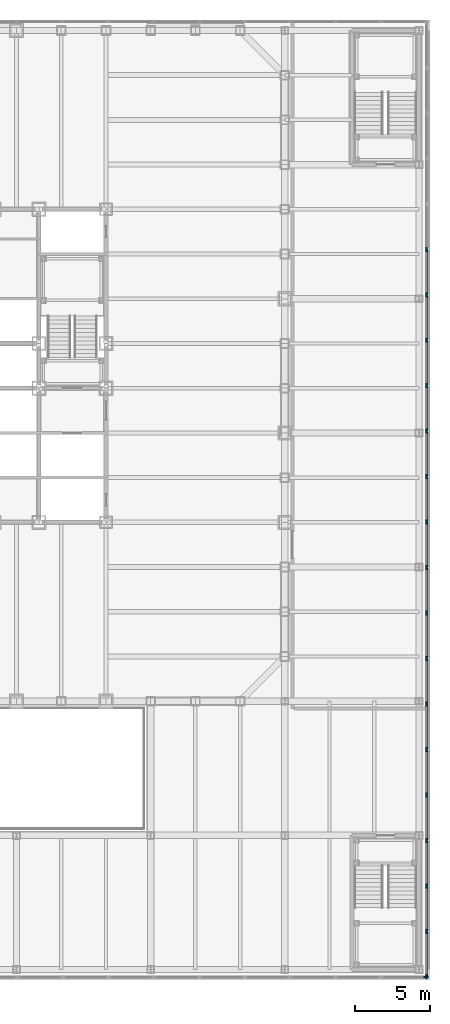
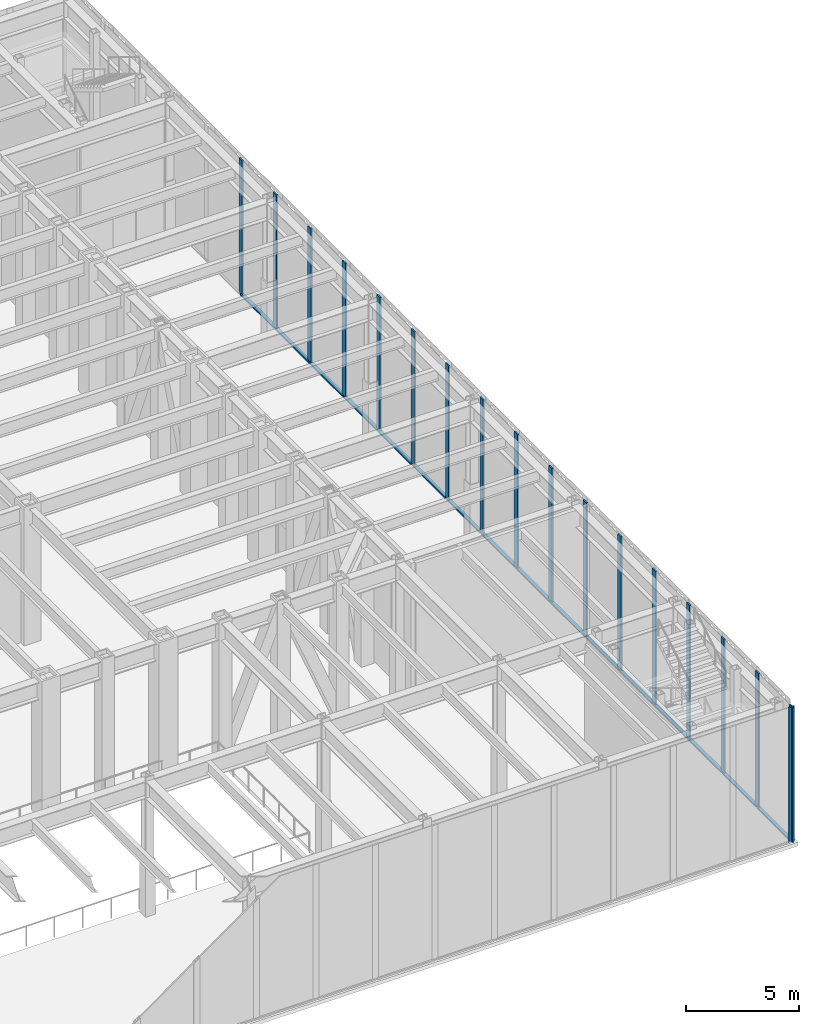
# One storey, part 9 of 34: 34 members, 2 elements without a shape of their own.
"""IFC4 building model written with IfcOpenShell, lengths in metres."""

import ifcopenshell
import ifcopenshell.guid

model = None  # the IFC model being written
_history = None  # IfcOwnerHistory: only IFC2X3 demands one
_inside = {}  # id of a spatial element -> (the spatial element, [elements in it])
_under = {}  # id of a project, library or spatial element -> (it, [spatial elements below it])
_declared = {}  # id of a project -> (the project, [libraries it declares])
_typed = {}  # id of a type object -> (the type object, [elements of that type])
_made_of = {}  # id of a material, layer set ... -> (it, [elements and type objects made of it])


def new_model(schema):
    """Start an empty IFC model of exactly this schema.

    Asked for "IFC4X3", IfcOpenShell would pick the latest addendum, in which some entities
    have other attributes; the version numbers below select the first issue.
    IFC2X3 requires an IfcOwnerHistory on every rooted entity: one is made here for all.
    """
    global model, _history
    if schema == "IFC4X3":
        model = ifcopenshell.file(schema_version=(4, 3, 0, 0))
    else:
        model = ifcopenshell.file(schema=schema)
    _inside.clear()
    _under.clear()
    _declared.clear()
    _typed.clear()
    _made_of.clear()
    _history = None
    if model.schema == "IFC2X3":
        org = make("IfcOrganization", Name="unknown")
        user = make(
            "IfcPersonAndOrganization",
            ThePerson=make("IfcPerson", FamilyName="unknown"),
            TheOrganization=org,
        )
        app = make(
            "IfcApplication",
            ApplicationDeveloper=org,
            Version="unknown",
            ApplicationFullName="unknown",
            ApplicationIdentifier="unknown",
        )
        _history = make(
            "IfcOwnerHistory",
            OwningUser=user,
            OwningApplication=app,
            ChangeAction="ADDED",
            CreationDate=0,
        )
    return model


def make(cls, **values):
    """One entity of the class cls with the attributes given. An attribute that is None is left unset."""
    return model.create_entity(
        cls, **{name: value for name, value in values.items() if value is not None}
    )


def rooted(cls, **values):
    """An entity with a GlobalId (a new one), such as an element, a storey or a relation."""
    return make(cls, GlobalId=ifcopenshell.guid.new(), OwnerHistory=_history, **values)


def si_unit(unit_type, name, prefix=None):
    """IfcSIUnit, for example si_unit("LENGTHUNIT", "METRE", prefix="MILLI")."""
    return make("IfcSIUnit", UnitType=unit_type, Prefix=prefix, Name=name)


def assignment(units):
    """IfcUnitAssignment: the units of a project."""
    return None if units is None else make("IfcUnitAssignment", Units=units)


def point(xyz):
    """IfcCartesianPoint."""
    return None if xyz is None else make("IfcCartesianPoint", Coordinates=xyz)


def direction(xyz):
    """IfcDirection."""
    return None if xyz is None else make("IfcDirection", DirectionRatios=xyz)


def frame(location, z_axis=None, x_axis=None):
    """IfcAxis2Placement3D, a coordinate frame: its origin and axes. An axis left out is left unset."""
    return make(
        "IfcAxis2Placement3D",
        Location=point(location),
        Axis=direction(z_axis),
        RefDirection=direction(x_axis),
    )


def frame_2d(location, x_axis=None):
    """IfcAxis2Placement2D, a coordinate frame in the plane: its origin and x axis."""
    return make(
        "IfcAxis2Placement2D", Location=point(location), RefDirection=direction(x_axis)
    )


def origin():
    """The frame at (0, 0, 0) with its axes left unset."""
    return frame((0.0, 0.0, 0.0))


def origin_2d():
    """The frame at (0, 0) in the plane with its x axis left unset."""
    return frame_2d((0.0, 0.0))


def place(relative_to, where):
    """IfcLocalPlacement: puts the frame where relative to a parent placement (None: the world)."""
    return make(
        "IfcLocalPlacement", PlacementRelTo=relative_to, RelativePlacement=where
    )


def context(
    kind, dimensions, precision=None, world=None, true_north=None, identifier=None
):
    """IfcGeometricRepresentationContext, for example the 3D "Model" context."""
    return make(
        "IfcGeometricRepresentationContext",
        ContextIdentifier=identifier,
        ContextType=kind,
        CoordinateSpaceDimension=dimensions,
        Precision=precision,
        WorldCoordinateSystem=world,
        TrueNorth=true_north,
    )


def subcontext(parent, identifier, kind, view, scale=None):
    """IfcGeometricRepresentationSubContext, for example "Body" below "Model"."""
    return make(
        "IfcGeometricRepresentationSubContext",
        ContextIdentifier=identifier,
        ContextType=kind,
        ParentContext=parent,
        TargetScale=scale,
        TargetView=view,
    )


def project(units=None, contexts=None):
    """IfcProject with its units and contexts."""
    return rooted(
        "IfcProject",
        Name="project",
        RepresentationContexts=contexts,
        UnitsInContext=assignment(units),
    )


def spatial(cls, under=None, at=None, **own):
    """A site, building, storey or space (cls), placed at a placement, below another one or the project."""
    s = rooted(cls, ObjectPlacement=at, **own)
    if under is not None:
        _under.setdefault(under.id(), (under, []))[1].append(s)
    return s


def profile(cls, at=None, kind="AREA", **sizes):
    """A parametric profile (cls). Its sizes go by their IFC names, for example OverallWidth=200.0."""
    return make(cls, ProfileType=kind, Position=at, **sizes)


def rectangle(**sizes):
    """IfcRectangleProfileDef."""
    return profile("IfcRectangleProfileDef", **sizes)


def extrude(swept, where, along, depth):
    """IfcExtrudedAreaSolid: the profile swept, set in the frame where, extruded along a direction by depth."""
    return make(
        "IfcExtrudedAreaSolid",
        SweptArea=swept,
        Position=where,
        ExtrudedDirection=direction(along),
        Depth=depth,
    )


def shape(context_of_items, identifier, shape_type, items):
    """IfcShapeRepresentation: the items that make up one representation, for example the "Body"."""
    return make(
        "IfcShapeRepresentation",
        ContextOfItems=context_of_items,
        RepresentationIdentifier=identifier,
        RepresentationType=shape_type,
        Items=items,
    )


def material(Name=None, Category=None):
    """IfcMaterial."""
    return make("IfcMaterial", Name=Name, Category=Category)


def layer(
    of_material, thickness, ventilated=None, Name=None, Category=None, Priority=None
):
    """IfcMaterialLayer: one layer of a wall or slab, of a material (None: an air gap)."""
    return make(
        "IfcMaterialLayer",
        Material=of_material,
        LayerThickness=thickness,
        IsVentilated=ventilated,
        Name=Name,
        Category=Category,
        Priority=Priority,
    )


def layer_set(layers, Name=None):
    """IfcMaterialLayerSet."""
    return make("IfcMaterialLayerSet", MaterialLayers=layers, LayerSetName=Name)


def material_profile(
    of_material, cross_section, Name=None, Category=None, Priority=None
):
    """IfcMaterialProfile: a cross section and its material."""
    return make(
        "IfcMaterialProfile",
        Name=Name,
        Material=of_material,
        Profile=cross_section,
        Priority=Priority,
        Category=Category,
    )


def profile_set(profiles, Name=None, composite=None):
    """IfcMaterialProfileSet."""
    return make(
        "IfcMaterialProfileSet",
        Name=Name,
        MaterialProfiles=profiles,
        CompositeProfile=composite,
    )


def made_of(thing, what):
    """Note that an element or type object is made of a material, layer set ...; save() writes the relation."""
    if what is not None:
        _made_of.setdefault(what.id(), (what, []))[1].append(thing)
    return thing


def type_object(cls, material=None, **own):
    """A type object (cls), such as IfcWallType, which elements share."""
    return made_of(rooted(cls, **own), material)


def element(
    cls,
    number,
    at=None,
    inside=None,
    cuts=None,
    type_object=None,
    material=None,
    context=None,
    identifier="Body",
    shape_type=None,
    held_by="IfcProductDefinitionShape",
    body=None,
    shapes=None,
    **own,
):
    """One element of the class cls, such as IfcWall. Its Tag is "e" and its number.

    at: its placement. inside: the storey or other place that contains it. cuts: it is an
    opening in that element (IfcRelVoidsElement). A single representation is given by context,
    identifier, shape_type and body (its items); several are given by shapes. held_by: the class
    of the entity that holds the representations. save() writes the other relations.
    """
    e = rooted(cls, Tag="e%d" % number, ObjectPlacement=at, **own)
    if body is not None:
        shapes = [shape(context, identifier, shape_type, body)]
    if shapes is not None:
        e.Representation = make(held_by, Representations=shapes)
    if inside is not None:
        _inside.setdefault(inside.id(), (inside, []))[1].append(e)
    if cuts is not None:
        rooted(
            "IfcRelVoidsElement", RelatingBuildingElement=cuts, RelatedOpeningElement=e
        )
    if type_object is not None:
        _typed.setdefault(type_object.id(), (type_object, []))[1].append(e)
    return made_of(e, material)


def aggregate(whole, parts):
    """IfcRelAggregates: a whole, such as a stair, and the parts it consists of."""
    return rooted("IfcRelAggregates", RelatingObject=whole, RelatedObjects=parts)


def save(model, path):
    """Write the relations noted so far, then the file.

    IfcRelAggregates (storeys below a building ...), IfcRelContainedInSpatialStructure (elements
    in a storey), IfcRelDefinesByType, IfcRelAssociatesMaterial and IfcRelDeclares: one each for
    every whole, place, type object, material and project.
    """
    for whole, parts in _under.values():
        aggregate(whole, parts)
    for where, things in _inside.values():
        rooted(
            "IfcRelContainedInSpatialStructure",
            RelatedElements=things,
            RelatingStructure=where,
        )
    for kind, things in _typed.values():
        rooted("IfcRelDefinesByType", RelatedObjects=things, RelatingType=kind)
    for what, things in _made_of.values():
        rooted("IfcRelAssociatesMaterial", RelatedObjects=things, RelatingMaterial=what)
    for by, libraries in _declared.values():
        rooted("IfcRelDeclares", RelatingContext=by, RelatedDefinitions=libraries)
    model.write(path)


model = new_model("IFC4")

# Units and contexts
model_context = context("Model", 3, precision=1e-05, world=origin(), true_north=direction((0.0, 1.0)))
body_context = subcontext(model_context, "Body", "Model", "MODEL_VIEW")
ifc_project = project(units=[si_unit("LENGTHUNIT", "METRE"), si_unit("AREAUNIT", "SQUARE_METRE"), si_unit("VOLUMEUNIT", "CUBIC_METRE"), si_unit("PLANEANGLEUNIT", "RADIAN"), si_unit("MASSUNIT", "GRAM", prefix="KILO")], contexts=[model_context])

# Site, building, storey
site_placement = place(None, origin())
site = spatial("IfcSite", under=ifc_project, at=site_placement, CompositionType="ELEMENT")
building_placement = place(site_placement, origin())
building = spatial("IfcBuilding", under=site, at=building_placement, Name="Chuquiago Exchange Tower", CompositionType="ELEMENT")
storey_placement = place(building_placement, frame((0.0, 0.0, 6.0)))
storey = spatial("IfcBuildingStorey", under=building, at=storey_placement, Name="L01", CompositionType="ELEMENT", Elevation=6.0)

# Curtain wall, member
ifc_material_1 = material(Name="Aluminium curtain wall system", Category="aluminium")
ifc_layer = layer(ifc_material_1, 0.300048828125)
ifc_layer_set = layer_set([ifc_layer], Name="CW4 podium curtain wall")
curtain_wall_type = type_object("IfcCurtainWallType", Name="CW4 podium curtain wall", PredefinedType="NOTDEFINED", material=ifc_layer_set)
curtain_wall_1_placement = place(storey_placement, origin())
curtain_wall_1 = element("IfcCurtainWall", 1, at=curtain_wall_1_placement, inside=storey, type_object=curtain_wall_type, Name="CW4 curtain wall L01", PredefinedType="NOTDEFINED")
ifc_material_2 = material(Name="Aluminium mullion, pale anodised", Category="aluminium")
ifc_material_profile_1 = material_profile(ifc_material_2, rectangle(XDim=0.074951171875, YDim=0.300048828125, at=origin_2d()), Name="AL 75x300")
ifc_profile_set_1 = profile_set([ifc_material_profile_1], Name="Aluminium mullion, pale anodised")
member_type_1 = type_object("IfcMemberType", Name="CW4-M mullion 75x300", PredefinedType="MULLION", material=ifc_profile_set_1)
member_1_placement = place(storey_placement, frame((54.46240234375, -18.5, 0.0), z_axis=(0.0, 0.0, 1.0), x_axis=(0.0, 1.0, 0.0)))
member_1 = element("IfcMember", 2, at=member_1_placement, type_object=member_type_1, Name="CW4 mullion 22", PredefinedType="MULLION", context=body_context, shape_type="SweptSolid", body=[
    extrude(rectangle(XDim=0.074951171875, YDim=0.300048828125, at=origin_2d()), origin(), (0.0, 0.0, 1.0), 7.300048828125),
])
aggregate(curtain_wall_1, [member_1])

# Curtain wall, members
curtain_wall_2_placement = place(storey_placement, origin())
curtain_wall_2 = element("IfcCurtainWall", 3, at=curtain_wall_2_placement, inside=storey, type_object=curtain_wall_type, Name="CW4 curtain wall L01", PredefinedType="NOTDEFINED")
member_2_placement = place(storey_placement, frame((54.5, -18.46240234375, 0.0), z_axis=(0.0, 0.0, 1.0), x_axis=(-1.0, 0.0, 0.0)))
member_2 = element("IfcMember", 4, at=member_2_placement, type_object=member_type_1, Name="CW4 mullion 1", PredefinedType="MULLION", context=body_context, shape_type="SweptSolid", body=[
    extrude(rectangle(XDim=0.074951171875, YDim=0.300048828125, at=origin_2d()), origin(), (0.0, 0.0, 1.0), 7.300048828125),
])
member_3_placement = place(storey_placement, frame((54.5, -15.44873046875, 0.0), z_axis=(0.0, 0.0, 1.0), x_axis=(-1.0, 0.0, 0.0)))
member_3 = element("IfcMember", 5, at=member_3_placement, type_object=member_type_1, Name="CW4 mullion 2", PredefinedType="MULLION", context=body_context, shape_type="SweptSolid", body=[
    extrude(rectangle(XDim=0.074951171875, YDim=0.300048828125, at=origin_2d()), origin(), (0.0, 0.0, 1.0), 7.300048828125),
])
member_4_placement = place(storey_placement, frame((54.5, -12.397705078125, 0.0), z_axis=(0.0, 0.0, 1.0), x_axis=(-1.0, 0.0, 0.0)))
member_4 = element("IfcMember", 6, at=member_4_placement, type_object=member_type_1, Name="CW4 mullion 3", PredefinedType="MULLION", context=body_context, shape_type="SweptSolid", body=[
    extrude(rectangle(XDim=0.074951171875, YDim=0.300048828125, at=origin_2d()), origin(), (0.0, 0.0, 1.0), 7.300048828125),
])
member_5_placement = place(storey_placement, frame((54.5, -9.346435546875, 0.0), z_axis=(0.0, 0.0, 1.0), x_axis=(-1.0, 0.0, 0.0)))
member_5 = element("IfcMember", 7, at=member_5_placement, type_object=member_type_1, Name="CW4 mullion 4", PredefinedType="MULLION", context=body_context, shape_type="SweptSolid", body=[
    extrude(rectangle(XDim=0.074951171875, YDim=0.300048828125, at=origin_2d()), origin(), (0.0, 0.0, 1.0), 7.300048828125),
])
member_6_placement = place(storey_placement, frame((54.5, -6.295166015625, 0.0), z_axis=(0.0, 0.0, 1.0), x_axis=(-1.0, 0.0, 0.0)))
member_6 = element("IfcMember", 8, at=member_6_placement, type_object=member_type_1, Name="CW4 mullion 5", PredefinedType="MULLION", context=body_context, shape_type="SweptSolid", body=[
    extrude(rectangle(XDim=0.074951171875, YDim=0.300048828125, at=origin_2d()), origin(), (0.0, 0.0, 1.0), 7.300048828125),
])
member_7_placement = place(storey_placement, frame((54.5, -3.244140625, 0.0), z_axis=(0.0, 0.0, 1.0), x_axis=(-1.0, 0.0, 0.0)))
member_7 = element("IfcMember", 9, at=member_7_placement, type_object=member_type_1, Name="CW4 mullion 6", PredefinedType="MULLION", context=body_context, shape_type="SweptSolid", body=[
    extrude(rectangle(XDim=0.074951171875, YDim=0.300048828125, at=origin_2d()), origin(), (0.0, 0.0, 1.0), 7.300048828125),
])
member_8_placement = place(storey_placement, frame((54.5, -0.19287109375, 0.0), z_axis=(0.0, 0.0, 1.0), x_axis=(-1.0, 0.0, 0.0)))
member_8 = element("IfcMember", 10, at=member_8_placement, type_object=member_type_1, Name="CW4 mullion 7", PredefinedType="MULLION", context=body_context, shape_type="SweptSolid", body=[
    extrude(rectangle(XDim=0.074951171875, YDim=0.300048828125, at=origin_2d()), origin(), (0.0, 0.0, 1.0), 7.300048828125),
])
member_9_placement = place(storey_placement, frame((54.5, 2.8583984375, 0.0), z_axis=(0.0, 0.0, 1.0), x_axis=(-1.0, 0.0, 0.0)))
member_9 = element("IfcMember", 11, at=member_9_placement, type_object=member_type_1, Name="CW4 mullion 8", PredefinedType="MULLION", context=body_context, shape_type="SweptSolid", body=[
    extrude(rectangle(XDim=0.074951171875, YDim=0.300048828125, at=origin_2d()), origin(), (0.0, 0.0, 1.0), 7.300048828125),
])
member_10_placement = place(storey_placement, frame((54.5, 5.909423828125, 0.0), z_axis=(0.0, 0.0, 1.0), x_axis=(-1.0, 0.0, 0.0)))
member_10 = element("IfcMember", 12, at=member_10_placement, type_object=member_type_1, Name="CW4 mullion 9", PredefinedType="MULLION", context=body_context, shape_type="SweptSolid", body=[
    extrude(rectangle(XDim=0.074951171875, YDim=0.300048828125, at=origin_2d()), origin(), (0.0, 0.0, 1.0), 7.300048828125),
])
member_11_placement = place(storey_placement, frame((54.5, 8.960693359375, 0.0), z_axis=(0.0, 0.0, 1.0), x_axis=(-1.0, 0.0, 0.0)))
member_11 = element("IfcMember", 13, at=member_11_placement, type_object=member_type_1, Name="CW4 mullion 10", PredefinedType="MULLION", context=body_context, shape_type="SweptSolid", body=[
    extrude(rectangle(XDim=0.074951171875, YDim=0.300048828125, at=origin_2d()), origin(), (0.0, 0.0, 1.0), 7.300048828125),
])
member_12_placement = place(storey_placement, frame((54.5, 12.011962890625, 0.0), z_axis=(0.0, 0.0, 1.0), x_axis=(-1.0, 0.0, 0.0)))
member_12 = element("IfcMember", 14, at=member_12_placement, type_object=member_type_1, Name="CW4 mullion 11", PredefinedType="MULLION", context=body_context, shape_type="SweptSolid", body=[
    extrude(rectangle(XDim=0.074951171875, YDim=0.300048828125, at=origin_2d()), origin(), (0.0, 0.0, 1.0), 7.300048828125),
])
member_13_placement = place(storey_placement, frame((54.5, 15.06298828125, 0.0), z_axis=(0.0, 0.0, 1.0), x_axis=(-1.0, 0.0, 0.0)))
member_13 = element("IfcMember", 15, at=member_13_placement, type_object=member_type_1, Name="CW4 mullion 12", PredefinedType="MULLION", context=body_context, shape_type="SweptSolid", body=[
    extrude(rectangle(XDim=0.074951171875, YDim=0.300048828125, at=origin_2d()), origin(), (0.0, 0.0, 1.0), 7.300048828125),
])
member_14_placement = place(storey_placement, frame((54.5, 18.1142578125, 0.0), z_axis=(0.0, 0.0, 1.0), x_axis=(-1.0, 0.0, 0.0)))
member_14 = element("IfcMember", 16, at=member_14_placement, type_object=member_type_1, Name="CW4 mullion 13", PredefinedType="MULLION", context=body_context, shape_type="SweptSolid", body=[
    extrude(rectangle(XDim=0.074951171875, YDim=0.300048828125, at=origin_2d()), origin(), (0.0, 0.0, 1.0), 7.300048828125),
])
member_15_placement = place(storey_placement, frame((54.5, 21.16552734375, 0.0), z_axis=(0.0, 0.0, 1.0), x_axis=(-1.0, 0.0, 0.0)))
member_15 = element("IfcMember", 17, at=member_15_placement, type_object=member_type_1, Name="CW4 mullion 14", PredefinedType="MULLION", context=body_context, shape_type="SweptSolid", body=[
    extrude(rectangle(XDim=0.074951171875, YDim=0.300048828125, at=origin_2d()), origin(), (0.0, 0.0, 1.0), 7.300048828125),
])
member_16_placement = place(storey_placement, frame((54.5, 24.216552734375, 0.0), z_axis=(0.0, 0.0, 1.0), x_axis=(-1.0, 0.0, 0.0)))
member_16 = element("IfcMember", 18, at=member_16_placement, type_object=member_type_1, Name="CW4 mullion 15", PredefinedType="MULLION", context=body_context, shape_type="SweptSolid", body=[
    extrude(rectangle(XDim=0.074951171875, YDim=0.300048828125, at=origin_2d()), origin(), (0.0, 0.0, 1.0), 7.300048828125),
])
member_17_placement = place(storey_placement, frame((54.5, 27.267822265625, 0.0), z_axis=(0.0, 0.0, 1.0), x_axis=(-1.0, 0.0, 0.0)))
member_17 = element("IfcMember", 19, at=member_17_placement, type_object=member_type_1, Name="CW4 mullion 16", PredefinedType="MULLION", context=body_context, shape_type="SweptSolid", body=[
    extrude(rectangle(XDim=0.074951171875, YDim=0.300048828125, at=origin_2d()), origin(), (0.0, 0.0, 1.0), 7.300048828125),
])
member_18_placement = place(storey_placement, frame((54.5, 30.319091796875, 0.0), z_axis=(0.0, 0.0, 1.0), x_axis=(-1.0, 0.0, 0.0)))
member_18 = element("IfcMember", 20, at=member_18_placement, type_object=member_type_1, Name="CW4 mullion 17", PredefinedType="MULLION", context=body_context, shape_type="SweptSolid", body=[
    extrude(rectangle(XDim=0.074951171875, YDim=0.300048828125, at=origin_2d()), origin(), (0.0, 0.0, 1.0), 7.300048828125),
])
ifc_material_3 = material(Name="Aluminium transom, pale anodised", Category="aluminium")
ifc_material_profile_2 = material_profile(ifc_material_3, rectangle(XDim=0.179931640625, YDim=0.074951171875, at=origin_2d()), Name="AL 180x75")
ifc_profile_set_2 = profile_set([ifc_material_profile_2], Name="Aluminium transom, pale anodised")
member_type_2 = type_object("IfcMemberType", Name="CW4-T transom 75x180", PredefinedType="MULLION", material=ifc_profile_set_2)
member_19_placement = place(storey_placement, frame((54.5, -18.425048828125, 0.03759765625), z_axis=(0.0, 1.0, 0.0), x_axis=(-1.0, 0.0, 0.0)))
member_19 = element("IfcMember", 21, at=member_19_placement, type_object=member_type_2, Name="CW4 transom 1.1", PredefinedType="MULLION", context=body_context, shape_type="SweptSolid", body=[
    extrude(rectangle(XDim=0.179931640625, YDim=0.074951171875, at=origin_2d()), origin(), (0.0, 0.0, 1.0), 2.938720703125),
])
member_20_placement = place(storey_placement, frame((54.5, -15.411376953125, 0.03759765625), z_axis=(0.0, 1.0, 0.0), x_axis=(-1.0, 0.0, 0.0)))
member_20 = element("IfcMember", 22, at=member_20_placement, type_object=member_type_2, Name="CW4 transom 2.1", PredefinedType="MULLION", context=body_context, shape_type="SweptSolid", body=[
    extrude(rectangle(XDim=0.179931640625, YDim=0.074951171875, at=origin_2d()), origin(), (0.0, 0.0, 1.0), 2.976318359375),
])
member_21_placement = place(storey_placement, frame((54.5, -12.360107421875, 0.03759765625), z_axis=(0.0, 1.0, 0.0), x_axis=(-1.0, 0.0, 0.0)))
member_21 = element("IfcMember", 23, at=member_21_placement, type_object=member_type_2, Name="CW4 transom 3.1", PredefinedType="MULLION", context=body_context, shape_type="SweptSolid", body=[
    extrude(rectangle(XDim=0.179931640625, YDim=0.074951171875, at=origin_2d()), origin(), (0.0, 0.0, 1.0), 2.97607421875),
])
member_22_placement = place(storey_placement, frame((54.5, -9.308837890625, 0.03759765625), z_axis=(0.0, 1.0, 0.0), x_axis=(-1.0, 0.0, 0.0)))
member_22 = element("IfcMember", 24, at=member_22_placement, type_object=member_type_2, Name="CW4 transom 4.1", PredefinedType="MULLION", context=body_context, shape_type="SweptSolid", body=[
    extrude(rectangle(XDim=0.179931640625, YDim=0.074951171875, at=origin_2d()), origin(), (0.0, 0.0, 1.0), 2.97607421875),
])
member_23_placement = place(storey_placement, frame((54.5, -6.2578125, 0.03759765625), z_axis=(0.0, 1.0, 0.0), x_axis=(-1.0, 0.0, 0.0)))
member_23 = element("IfcMember", 25, at=member_23_placement, type_object=member_type_2, Name="CW4 transom 5.1", PredefinedType="MULLION", context=body_context, shape_type="SweptSolid", body=[
    extrude(rectangle(XDim=0.179931640625, YDim=0.074951171875, at=origin_2d()), origin(), (0.0, 0.0, 1.0), 2.976318359375),
])
member_24_placement = place(storey_placement, frame((54.5, -3.20654296875, 0.03759765625), z_axis=(0.0, 1.0, 0.0), x_axis=(-1.0, 0.0, 0.0)))
member_24 = element("IfcMember", 26, at=member_24_placement, type_object=member_type_2, Name="CW4 transom 6.1", PredefinedType="MULLION", context=body_context, shape_type="SweptSolid", body=[
    extrude(rectangle(XDim=0.179931640625, YDim=0.074951171875, at=origin_2d()), origin(), (0.0, 0.0, 1.0), 2.97607421875),
])
member_25_placement = place(storey_placement, frame((54.5, -0.1552734375, 0.03759765625), z_axis=(0.0, 1.0, 0.0), x_axis=(-1.0, 0.0, 0.0)))
member_25 = element("IfcMember", 27, at=member_25_placement, type_object=member_type_2, Name="CW4 transom 7.1", PredefinedType="MULLION", context=body_context, shape_type="SweptSolid", body=[
    extrude(rectangle(XDim=0.179931640625, YDim=0.074951171875, at=origin_2d()), origin(), (0.0, 0.0, 1.0), 2.97607421875),
])
member_26_placement = place(storey_placement, frame((54.5, 2.895751953125, 0.03759765625), z_axis=(0.0, 1.0, 0.0), x_axis=(-1.0, 0.0, 0.0)))
member_26 = element("IfcMember", 28, at=member_26_placement, type_object=member_type_2, Name="CW4 transom 8.1", PredefinedType="MULLION", context=body_context, shape_type="SweptSolid", body=[
    extrude(rectangle(XDim=0.179931640625, YDim=0.074951171875, at=origin_2d()), origin(), (0.0, 0.0, 1.0), 2.976318359375),
])
member_27_placement = place(storey_placement, frame((54.5, 5.947021484375, 0.03759765625), z_axis=(0.0, 1.0, 0.0), x_axis=(-1.0, 0.0, 0.0)))
member_27 = element("IfcMember", 29, at=member_27_placement, type_object=member_type_2, Name="CW4 transom 9.1", PredefinedType="MULLION", context=body_context, shape_type="SweptSolid", body=[
    extrude(rectangle(XDim=0.179931640625, YDim=0.074951171875, at=origin_2d()), origin(), (0.0, 0.0, 1.0), 2.97607421875),
])
member_28_placement = place(storey_placement, frame((54.5, 8.998291015625, 0.03759765625), z_axis=(0.0, 1.0, 0.0), x_axis=(-1.0, 0.0, 0.0)))
member_28 = element("IfcMember", 30, at=member_28_placement, type_object=member_type_2, Name="CW4 transom 10.1", PredefinedType="MULLION", context=body_context, shape_type="SweptSolid", body=[
    extrude(rectangle(XDim=0.179931640625, YDim=0.074951171875, at=origin_2d()), origin(), (0.0, 0.0, 1.0), 2.97607421875),
])
member_29_placement = place(storey_placement, frame((54.5, 12.04931640625, 0.03759765625), z_axis=(0.0, 1.0, 0.0), x_axis=(-1.0, 0.0, 0.0)))
member_29 = element("IfcMember", 31, at=member_29_placement, type_object=member_type_2, Name="CW4 transom 11.1", PredefinedType="MULLION", context=body_context, shape_type="SweptSolid", body=[
    extrude(rectangle(XDim=0.179931640625, YDim=0.074951171875, at=origin_2d()), origin(), (0.0, 0.0, 1.0), 2.976318359375),
])
member_30_placement = place(storey_placement, frame((54.5, 15.1005859375, 0.03759765625), z_axis=(0.0, 1.0, 0.0), x_axis=(-1.0, 0.0, 0.0)))
member_30 = element("IfcMember", 32, at=member_30_placement, type_object=member_type_2, Name="CW4 transom 12.1", PredefinedType="MULLION", context=body_context, shape_type="SweptSolid", body=[
    extrude(rectangle(XDim=0.179931640625, YDim=0.074951171875, at=origin_2d()), origin(), (0.0, 0.0, 1.0), 2.976318359375),
])
member_31_placement = place(storey_placement, frame((54.5, 18.15185546875, 0.03759765625), z_axis=(0.0, 1.0, 0.0), x_axis=(-1.0, 0.0, 0.0)))
member_31 = element("IfcMember", 33, at=member_31_placement, type_object=member_type_2, Name="CW4 transom 13.1", PredefinedType="MULLION", context=body_context, shape_type="SweptSolid", body=[
    extrude(rectangle(XDim=0.179931640625, YDim=0.074951171875, at=origin_2d()), origin(), (0.0, 0.0, 1.0), 2.97607421875),
])
member_32_placement = place(storey_placement, frame((54.5, 21.202880859375, 0.03759765625), z_axis=(0.0, 1.0, 0.0), x_axis=(-1.0, 0.0, 0.0)))
member_32 = element("IfcMember", 34, at=member_32_placement, type_object=member_type_2, Name="CW4 transom 14.1", PredefinedType="MULLION", context=body_context, shape_type="SweptSolid", body=[
    extrude(rectangle(XDim=0.179931640625, YDim=0.074951171875, at=origin_2d()), origin(), (0.0, 0.0, 1.0), 2.976318359375),
])
member_33_placement = place(storey_placement, frame((54.5, 24.254150390625, 0.03759765625), z_axis=(0.0, 1.0, 0.0), x_axis=(-1.0, 0.0, 0.0)))
member_33 = element("IfcMember", 35, at=member_33_placement, type_object=member_type_2, Name="CW4 transom 15.1", PredefinedType="MULLION", context=body_context, shape_type="SweptSolid", body=[
    extrude(rectangle(XDim=0.179931640625, YDim=0.074951171875, at=origin_2d()), origin(), (0.0, 0.0, 1.0), 2.976318359375),
])
member_34_placement = place(storey_placement, frame((54.5, 27.305419921875, 0.03759765625), z_axis=(0.0, 1.0, 0.0), x_axis=(-1.0, 0.0, 0.0)))
member_34 = element("IfcMember", 36, at=member_34_placement, type_object=member_type_2, Name="CW4 transom 16.1", PredefinedType="MULLION", context=body_context, shape_type="SweptSolid", body=[
    extrude(rectangle(XDim=0.179931640625, YDim=0.074951171875, at=origin_2d()), origin(), (0.0, 0.0, 1.0), 2.97607421875),
])
aggregate(curtain_wall_2, [member_2, member_3, member_4, member_5, member_6, member_7, member_8, member_9, member_10, member_11, member_12, member_13, member_14, member_15, member_16, member_17, member_18, member_19, member_20, member_21, member_22, member_23, member_24, member_25, member_26, member_27, member_28, member_29, member_30, member_31, member_32, member_33, member_34])

save(model, "model.ifc")
